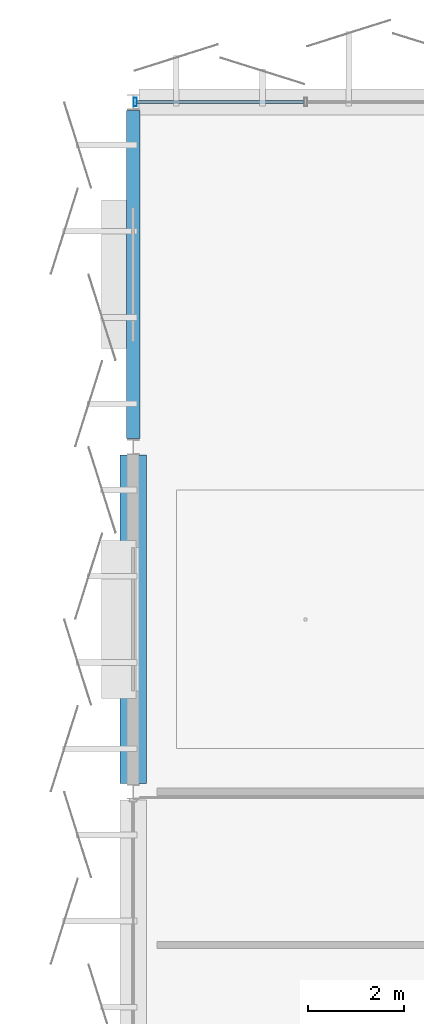
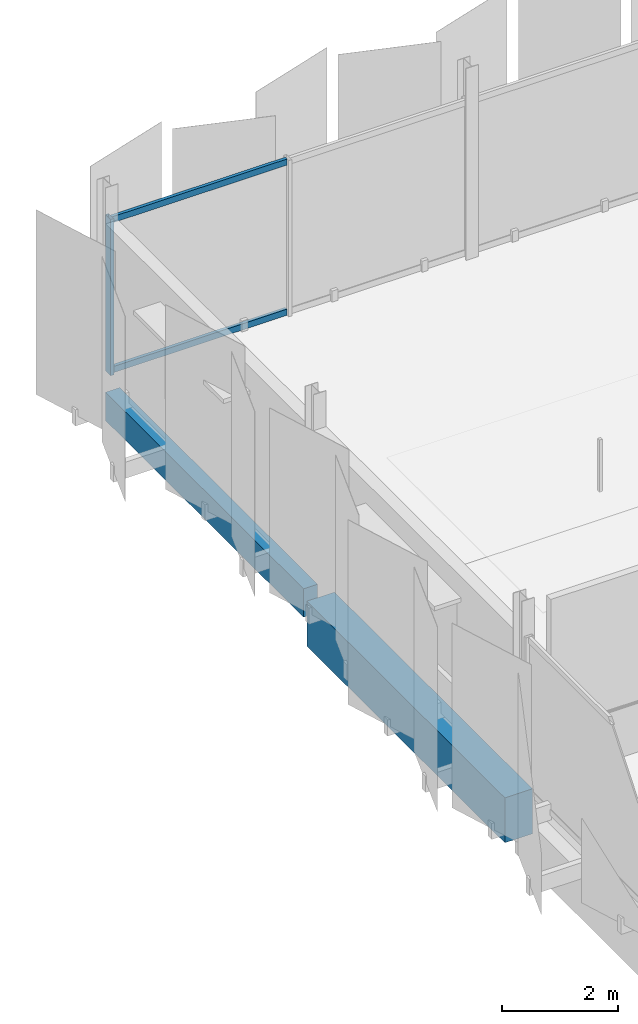
# One storey, part 22 of 77: 3 members, 2 beams, 1 element without a shape of its own.
"""IFC4 building model written with IfcOpenShell, lengths in metres."""

from ifc_helpers import new_model, si_unit, direction, frame, origin, origin_2d, place, context, subcontext, project, spatial, rectangle, hollow_rectangle, extrude, material, layer, layer_set, material_profile, profile_set, type_object, element, aggregate, save


model = new_model("IFC4")

# Units and contexts
model_context = context("Model", 3, precision=1e-05, world=origin(), true_north=direction((0.0, 1.0)))
body_context = subcontext(model_context, "Body", "Model", "MODEL_VIEW")
ifc_project = project(units=[si_unit("LENGTHUNIT", "METRE"), si_unit("AREAUNIT", "SQUARE_METRE"), si_unit("VOLUMEUNIT", "CUBIC_METRE"), si_unit("PLANEANGLEUNIT", "RADIAN"), si_unit("MASSUNIT", "GRAM", prefix="KILO")], contexts=[model_context])

# Site, building, storey
site_placement = place(None, origin())
site = spatial("IfcSite", under=ifc_project, at=site_placement, CompositionType="ELEMENT")
building_placement = place(site_placement, origin())
building = spatial("IfcBuilding", under=site, at=building_placement, Name="Kangsadwip Square Police Headquarters", CompositionType="ELEMENT")
storey_placement = place(building_placement, frame((0.0, 0.0, 17.550048828125)))
storey = spatial("IfcBuildingStorey", under=building, at=storey_placement, Name="L04", CompositionType="ELEMENT", Elevation=17.550048828125)

# Curtain wall, members
ifc_material_1 = material(Name="Thermally broken anodised aluminium AW-6063-T6", Category="aluminium")
ifc_layer = layer(ifc_material_1, 0.159912109375)
ifc_layer_set = layer_set([ifc_layer], Name="Thermally broken anodised aluminium AW-6063-T6")
curtain_wall_type = type_object("IfcCurtainWallType", Name="UnitisedCw7180x3300", PredefinedType="NOTDEFINED", material=ifc_layer_set)
curtain_wall_placement = place(storey_placement, origin())
curtain_wall = element("IfcCurtainWall", 1, at=curtain_wall_placement, inside=storey, type_object=curtain_wall_type, Name="Curtain Wall CW-L04-0936-1152", PredefinedType="NOTDEFINED")
ifc_material_2 = material(Name="Thermally broken anodised aluminium AW-6063-T6", Category="aluminium")
ifc_material_profile_1 = material_profile(ifc_material_2, hollow_rectangle(XDim=0.06494140625, YDim=0.179931640625, WallThickness=0.00390625, at=origin_2d()), Name="CWM 180X65X4")
ifc_profile_set_1 = profile_set([ifc_material_profile_1], Name="Thermally broken anodised aluminium AW-6063-T6")
member_type_1 = type_object("IfcMemberType", Name="CwMullion160x65", PredefinedType="MULLION", material=ifc_profile_set_1)
member_1_placement = place(storey_placement, frame((93.642578125, 115.199951171875, 0.0), z_axis=(0.0, 0.0, 1.0), x_axis=(1.0, 0.0, 0.0)))
member_1 = element("IfcMember", 2, at=member_1_placement, type_object=member_type_1, Name="CW-43 mullion 1", PredefinedType="MULLION", context=body_context, shape_type="SweptSolid", body=[
    extrude(hollow_rectangle(XDim=0.06494140625, YDim=0.179931640625, WallThickness=0.00390625, at=origin_2d()), origin(), (0.0, 0.0, 1.0), 3.300048828125),
])
ifc_material_3 = material(Name="Thermally broken anodised aluminium AW-6063-T6", Category="aluminium")
ifc_material_profile_2 = material_profile(ifc_material_3, hollow_rectangle(XDim=0.06494140625, YDim=0.1298828125, WallThickness=0.00390625, at=origin_2d()), Name="CWT 130X65X4")
ifc_profile_set_2 = profile_set([ifc_material_profile_2], Name="Thermally broken anodised aluminium AW-6063-T6")
member_type_2 = type_object("IfcMemberType", Name="CwTransom140x60", PredefinedType="USERDEFINED", material=ifc_profile_set_2)
member_2_placement = place(storey_placement, frame((93.675048828125, 115.199951171875, 0.06494140625), z_axis=(1.0, 0.0, 0.0), x_axis=(0.0, 1.0, 0.0)))
member_2 = element("IfcMember", 3, at=member_2_placement, type_object=member_type_2, Name="CW-43 transom 1.1", ObjectType="TRANSOM", PredefinedType="USERDEFINED", context=body_context, shape_type="SweptSolid", body=[
    extrude(hollow_rectangle(XDim=0.06494140625, YDim=0.1298828125, WallThickness=0.00390625, at=origin_2d()), origin(), (0.0, 0.0, 1.0), 3.492431640625),
])
member_3_placement = place(storey_placement, frame((93.675048828125, 115.199951171875, 3.23486328125), z_axis=(1.0, 0.0, 0.0), x_axis=(0.0, 1.0, 0.0)))
member_3 = element("IfcMember", 4, at=member_3_placement, type_object=member_type_2, Name="CW-43 transom 1.2", ObjectType="TRANSOM", PredefinedType="USERDEFINED", context=body_context, shape_type="SweptSolid", body=[
    extrude(hollow_rectangle(XDim=0.06494140625, YDim=0.1298828125, WallThickness=0.00390625, at=origin_2d()), origin(), (0.0, 0.0, 1.0), 3.492431640625),
])
aggregate(curtain_wall, [member_1, member_2, member_3])

# Beams
ifc_material_4 = material(Name="Concrete M40 (40 MPa)", Category="concrete")
ifc_material_profile_3 = material_profile(ifc_material_4, rectangle(XDim=0.280029296875, YDim=0.60009765625, at=origin_2d()), Name="RC SPN 600X280")
ifc_profile_set_3 = profile_set([ifc_material_profile_3], Name="Concrete M40 (40 MPa)")
beam_type_1 = type_object("IfcBeamType", Name="RcSpandrel600x280", PredefinedType="SPANDREL", material=ifc_profile_set_3)
beam_1_placement = place(storey_placement, frame((93.60009765625, 108.175048828125, -0.5400390625), z_axis=(0.0, 1.0, 0.0), x_axis=(-1.0, 0.0, 0.0)))
element("IfcBeam", 5, at=beam_1_placement, inside=storey, type_object=beam_type_1, Name="Beam BM-L04-Y-13-15", PredefinedType="SPANDREL", context=body_context, shape_type="SweptSolid", body=[
    extrude(rectangle(XDim=0.280029296875, YDim=0.60009765625, at=origin_2d()), origin(), (0.0, 0.0, 1.0), 6.849853515625),
])
ifc_material_5 = material(Name="Concrete M40 (40 MPa)", Category="concrete")
ifc_material_profile_4 = material_profile(ifc_material_5, rectangle(XDim=0.550048828125, YDim=0.949951171875, at=origin_2d()), Name="RC TG 950X550")
ifc_profile_set_4 = profile_set([ifc_material_profile_4], Name="Concrete M40 (40 MPa)")
beam_type_2 = type_object("IfcBeamType", Name="RcTransfer950x550", PredefinedType="USERDEFINED", material=ifc_profile_set_4)
beam_2_placement = place(storey_placement, frame((93.60009765625, 100.97509765625, -0.715087890625), z_axis=(0.0, 1.0, 0.0), x_axis=(-1.0, 0.0, 0.0)))
element("IfcBeam", 6, at=beam_2_placement, inside=storey, type_object=beam_type_2, Name="Beam BM-L04-Y-13-14", ObjectType="TRANSFER_GIRDER", PredefinedType="USERDEFINED", context=body_context, shape_type="SweptSolid", body=[
    extrude(rectangle(XDim=0.550048828125, YDim=0.949951171875, at=origin_2d()), origin(), (0.0, 0.0, 1.0), 6.849853515625),
])

save(model, "model.ifc")
